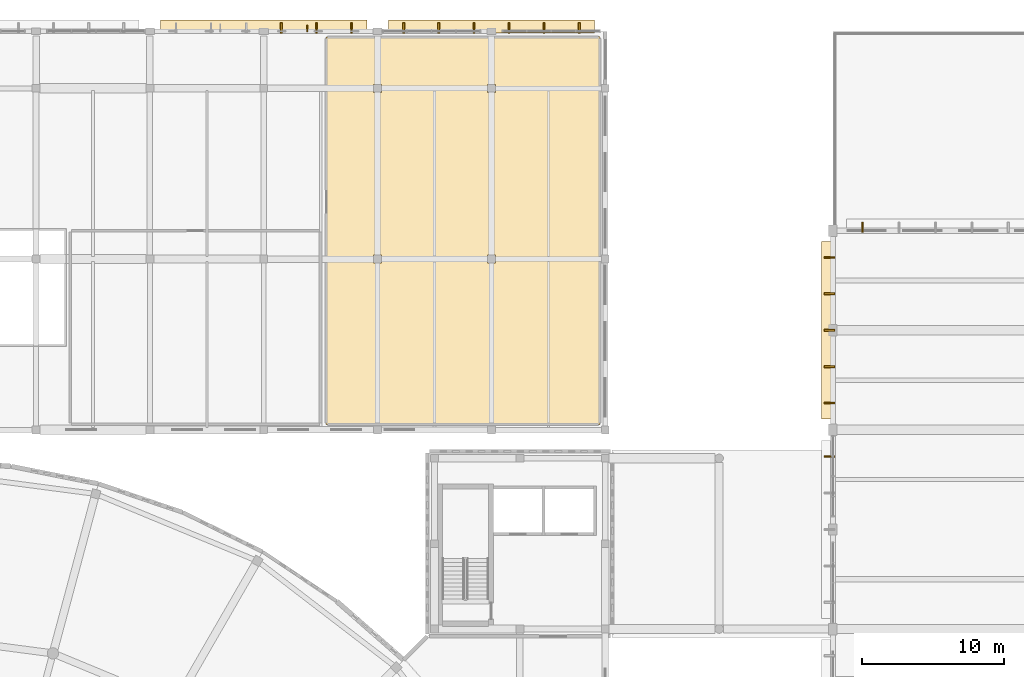
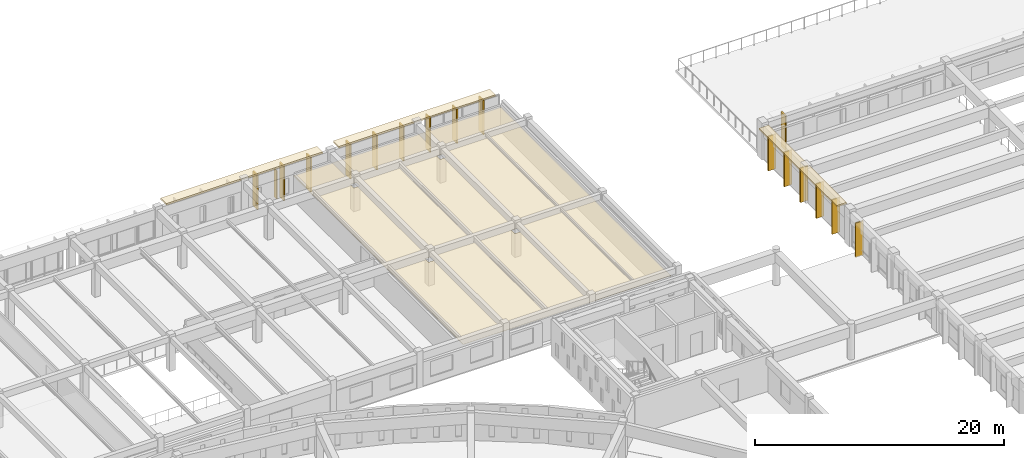
# One storey, part 143 of 155: 20 coverings, 1 shading device.
"""IFC4 building model written with IfcOpenShell, lengths in metres."""

from ifc_helpers import new_model, si_unit, direction, frame, origin, origin_2d, place, context, subcontext, project, spatial, polyline, rectangle, outline, extrude, material, layer, layer_set, type_object, element, save


model = new_model("IFC4")

# Units and contexts
model_context = context("Model", 3, precision=1e-05, world=origin(), true_north=direction((0.0, 1.0)))
body_context = subcontext(model_context, "Body", "Model", "MODEL_VIEW")
ifc_project = project(units=[si_unit("LENGTHUNIT", "METRE"), si_unit("AREAUNIT", "SQUARE_METRE"), si_unit("VOLUMEUNIT", "CUBIC_METRE"), si_unit("PLANEANGLEUNIT", "RADIAN"), si_unit("MASSUNIT", "GRAM", prefix="KILO")], contexts=[model_context])

# Site, building, storey
site_placement = place(None, origin())
site = spatial("IfcSite", under=ifc_project, at=site_placement, CompositionType="ELEMENT")
building_placement = place(site_placement, origin())
building = spatial("IfcBuilding", under=site, at=building_placement, Name="Larkveld Mobility Hub", CompositionType="ELEMENT")
storey_placement = place(building_placement, frame((0.0, 0.0, 8.39990234375)))
storey = spatial("IfcBuildingStorey", under=building, at=storey_placement, Name="L02", CompositionType="ELEMENT", Elevation=8.39990234375)

# Coverings
ifc_material_1 = material(Name="Precast concrete C50/60", Category="concrete")
ifc_layer_1 = layer(ifc_material_1, 0.14990234375, Name="Precast concrete C50/60", Category="concrete")
ifc_layer_set_1 = layer_set([ifc_layer_1], Name="Precast concrete C50/60")
covering_type_1 = type_object("IfcCoveringType", Name="COV-QSL-H01", PredefinedType="CLADDING", material=ifc_layer_set_1)
for number, where, z_axis, x_axis, name in (
    (1, (72.0, 126.340087890625, 3.3701171875), (0.0, 0.0, 1.0), (-1.0, 0.0, 0.0), "Precast Quebra-Sol Horizontal Sunbreaker QSH-132"),
    (2, (88.0, 126.340087890625, 3.3701171875), (0.0, 0.0, 1.0), (-1.0, 0.0, 0.0), "Precast Quebra-Sol Horizontal Sunbreaker QSH-139"),
):
    element("IfcCovering", number, at=place(storey_placement, frame(where, z_axis=z_axis, x_axis=x_axis)), inside=storey, type_object=covering_type_1, Name=name, PredefinedType="CLADDING", context=body_context, shape_type="SweptSolid", body=[
        extrude(rectangle(XDim=14.5, YDim=0.919921875, at=origin_2d()), origin(), (0.0, 0.0, 1.0), 0.14990234375),
    ])
covering_1_placement = place(storey_placement, frame((111.659912109375, 105.0, 3.3701171875), z_axis=(0.0, 0.0, 1.0), x_axis=(0.0, -1.0, 0.0)))
element("IfcCovering", 3, at=covering_1_placement, inside=storey, type_object=covering_type_1, Name="Precast Quebra-Sol Horizontal Sunbreaker QSH-479", PredefinedType="CLADDING", context=body_context, shape_type="SweptSolid", body=[
    extrude(rectangle(XDim=12.5, YDim=0.919921875, at=origin_2d()), origin(), (0.0, 0.0, 1.0), 0.14990234375),
])
ifc_layer_2 = layer(ifc_material_1, 0.1201171875, Name="Precast concrete C50/60", Category="concrete")
ifc_layer_set_2 = layer_set([ifc_layer_2], Name="Precast concrete C50/60")
covering_type_2 = type_object("IfcCoveringType", Name="COV-QSL-V01", PredefinedType="CLADDING", material=ifc_layer_set_2)
for number, where, z_axis, x_axis, name in (
    (4, (78.1669921875, 126.239990234375, -0.019287109375), (0.0, 0.0, 1.0), (-1.0, 0.0, 0.0), "Precast Quebra-Sol Vertical Fin QSV-133"),
    (5, (75.699951171875, 126.239990234375, -0.019287109375), (0.0, 0.0, 1.0), (-1.0, 0.0, 0.0), "Precast Quebra-Sol Vertical Fin QSV-134"),
    (6, (73.23291015625, 126.239990234375, -0.019287109375), (0.0, 0.0, 1.0), (-1.0, 0.0, 0.0), "Precast Quebra-Sol Vertical Fin QSV-135"),
    (7, (94.1669921875, 126.239990234375, -0.019287109375), (0.0, 0.0, 1.0), (-1.0, 0.0, 0.0), "Precast Quebra-Sol Vertical Fin QSV-140"),
    (8, (91.699951171875, 126.239990234375, -0.019287109375), (0.0, 0.0, 1.0), (-1.0, 0.0, 0.0), "Precast Quebra-Sol Vertical Fin QSV-141"),
    (9, (89.23291015625, 126.239990234375, -0.019287109375), (0.0, 0.0, 1.0), (-1.0, 0.0, 0.0), "Precast Quebra-Sol Vertical Fin QSV-142"),
    (10, (86.76708984375, 126.239990234375, -0.019287109375), (0.0, 0.0, 1.0), (-1.0, 0.0, 0.0), "Precast Quebra-Sol Vertical Fin QSV-143"),
    (11, (84.300048828125, 126.239990234375, -0.019287109375), (0.0, 0.0, 1.0), (-1.0, 0.0, 0.0), "Precast Quebra-Sol Vertical Fin QSV-144"),
    (12, (81.8330078125, 126.239990234375, -0.019287109375), (0.0, 0.0, 1.0), (-1.0, 0.0, 0.0), "Precast Quebra-Sol Vertical Fin QSV-145"),
    (13, (111.760009765625, 96.1201171875, -0.019287109375), (0.0, 0.0, 1.0), (0.0, -1.0, 0.0), "Precast Quebra-Sol Vertical Fin QSV-474"),
    (14, (111.760009765625, 110.1201171875, -0.019287109375), (0.0, 0.0, 1.0), (0.0, -1.0, 0.0), "Precast Quebra-Sol Vertical Fin QSV-480"),
    (15, (111.760009765625, 107.56005859375, -0.019287109375), (0.0, 0.0, 1.0), (0.0, -1.0, 0.0), "Precast Quebra-Sol Vertical Fin QSV-481"),
    (16, (111.760009765625, 105.0, -0.019287109375), (0.0, 0.0, 1.0), (0.0, -1.0, 0.0), "Precast Quebra-Sol Vertical Fin QSV-482"),
    (17, (111.760009765625, 102.43994140625, -0.019287109375), (0.0, 0.0, 1.0), (0.0, -1.0, 0.0), "Precast Quebra-Sol Vertical Fin QSV-483"),
    (18, (111.760009765625, 99.8798828125, -0.019287109375), (0.0, 0.0, 1.0), (0.0, -1.0, 0.0), "Precast Quebra-Sol Vertical Fin QSV-484"),
    (19, (114.080078125, 112.239990234375, -0.019287109375), (0.0, 0.0, 1.0), (-1.0, 0.0, 0.0), "Precast Quebra-Sol Vertical Fin QSV-499"),
):
    element("IfcCovering", number, at=place(storey_placement, frame(where, z_axis=z_axis, x_axis=x_axis)), inside=storey, type_object=covering_type_2, Name=name, PredefinedType="CLADDING", context=body_context, shape_type="SweptSolid", body=[
        extrude(rectangle(XDim=0.1201171875, YDim=0.719970703125, at=origin_2d()), origin(), (0.0, 0.0, 1.0), 3.375),
    ])
ifc_material_2 = material(Name="Moisture-resistant gypsum board ceiling", Category="masonry")
ifc_layer_3 = layer(ifc_material_2, 0.02490234375, Name="Moisture-resistant gypsum board ceiling", Category="masonry")
ifc_layer_set_3 = layer_set([ifc_layer_3], Name="Moisture-resistant gypsum board ceiling")
covering_type_3 = type_object("IfcCoveringType", Name="CV-CLG-025", PredefinedType="CEILING", material=ifc_layer_set_3)
covering_2_placement = place(storey_placement, frame((0.0, 0.0, 2.3251953125)))
element("IfcCovering", 20, at=covering_2_placement, inside=storey, type_object=covering_type_3, Name="Bicycle Terrace Cafe and Repair Bar Acoustic Ceiling 031", PredefinedType="CEILING", context=body_context, shape_type="SweptSolid", body=[
    extrude(outline(polyline([(76.4169921875, 98.3701171875), (76.4140625, 98.37109375), (76.410888671875, 98.37109375), (76.408935546875, 98.3720703125), (76.406005859375, 98.3740234375), (76.403076171875, 98.375), (76.40087890625, 98.376953125), (76.39892578125, 98.37890625), (76.37890625, 98.39892578125), (76.376953125, 98.40087890625), (76.375, 98.403076171875), (76.3740234375, 98.406005859375), (76.3720703125, 98.408935546875), (76.37109375, 98.410888671875), (76.37109375, 98.4140625), (76.3701171875, 98.4169921875), (76.3701171875, 98.419921875), (76.373046875, 125.591064453125), (76.3740234375, 125.593994140625), (76.3740234375, 125.596923828125), (76.375, 125.60009765625), (76.3759765625, 125.60302734375), (76.376953125, 125.60498046875), (76.3779296875, 125.60791015625), (76.3798828125, 125.610107421875), (76.382080078125, 125.612060546875), (76.384033203125, 125.614013671875), (76.386962890625, 125.615966796875), (76.388916015625, 125.617919921875), (76.39208984375, 125.618896484375), (76.39501953125, 125.6201171875), (76.39794921875, 125.62109375), (76.39990234375, 125.62109375), (76.403076171875, 125.62109375), (95.591064453125, 125.626953125), (95.593994140625, 125.6259765625), (95.596923828125, 125.6259765625), (95.60009765625, 125.625), (95.60302734375, 125.6240234375), (95.60498046875, 125.623046875), (95.60791015625, 125.6220703125), (95.610107421875, 125.6201171875), (95.612060546875, 125.617919921875), (95.614013671875, 125.615966796875), (95.615966796875, 125.613037109375), (95.617919921875, 125.611083984375), (95.618896484375, 125.60791015625), (95.6201171875, 125.60498046875), (95.62109375, 125.60205078125), (95.62109375, 125.60009765625), (95.62109375, 125.596923828125), (95.626953125, 98.408935546875), (95.6259765625, 98.406005859375), (95.6259765625, 98.403076171875), (95.625, 98.39990234375), (95.6240234375, 98.39697265625), (95.623046875, 98.39501953125), (95.6220703125, 98.39208984375), (95.6201171875, 98.389892578125), (95.617919921875, 98.387939453125), (95.615966796875, 98.385986328125), (95.613037109375, 98.384033203125), (95.611083984375, 98.382080078125), (95.60791015625, 98.381103515625), (95.60498046875, 98.3798828125), (95.60205078125, 98.37890625), (95.60009765625, 98.37890625), (95.596923828125, 98.37890625), (76.419921875, 98.3701171875), (76.4169921875, 98.3701171875)]), holes=[polyline([(79.719970703125, 110.280029296875), (79.719970703125, 109.719970703125), (80.280029296875, 109.719970703125), (80.280029296875, 110.280029296875), (79.719970703125, 110.280029296875)]), polyline([(87.719970703125, 110.280029296875), (87.719970703125, 109.719970703125), (88.280029296875, 109.719970703125), (88.280029296875, 110.280029296875), (87.719970703125, 110.280029296875)]), polyline([(79.719970703125, 122.280029296875), (79.719970703125, 121.719970703125), (80.280029296875, 121.719970703125), (80.280029296875, 122.280029296875), (79.719970703125, 122.280029296875)]), polyline([(87.719970703125, 122.280029296875), (87.719970703125, 121.719970703125), (88.280029296875, 121.719970703125), (88.280029296875, 122.280029296875), (87.719970703125, 122.280029296875)])]), origin(), (0.0, 0.0, 1.0), 0.02490234375),
])

# Shading device
ifc_layer_4 = layer(ifc_material_1, 0.06494140625, Name="Precast concrete C50/60", Category="concrete")
ifc_layer_set_4 = layer_set([ifc_layer_4], Name="Precast concrete C50/60")
shading_device_type = type_object("IfcShadingDeviceType", Name="SHD-JAL-01", PredefinedType="JALOUSIE", material=ifc_layer_set_4)
shading_device_placement = place(storey_placement, frame((75.06591796875, 126.205078125, 0.30029296875), z_axis=(0.0, 0.0, 1.0), x_axis=(1.0, 0.0, 0.0)))
element("IfcShadingDevice", 21, at=shading_device_placement, inside=storey, type_object=shading_device_type, Name="North Facade Sunshade Fin NF-057", PredefinedType="JALOUSIE", context=body_context, shape_type="SweptSolid", body=[
    extrude(rectangle(XDim=0.06494140625, YDim=0.449951171875, at=origin_2d()), origin(), (0.0, 0.0, 1.0), 2.760009765625),
])

save(model, "model.ifc")
